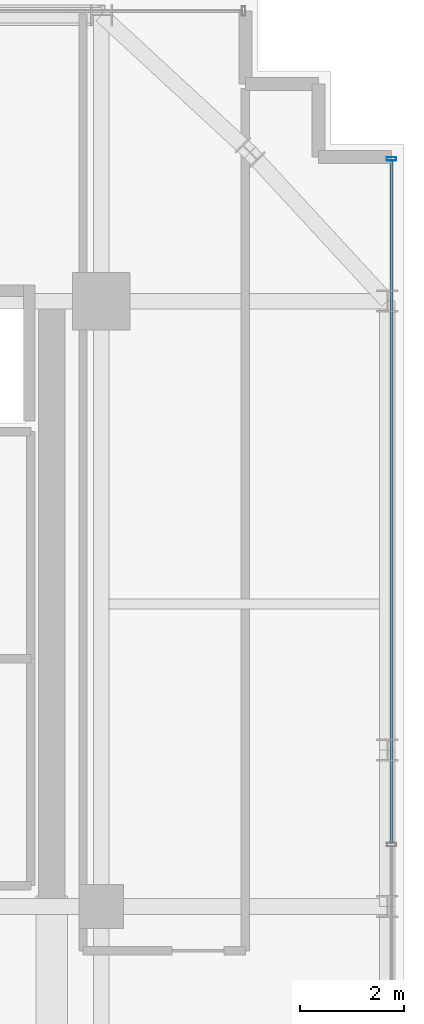
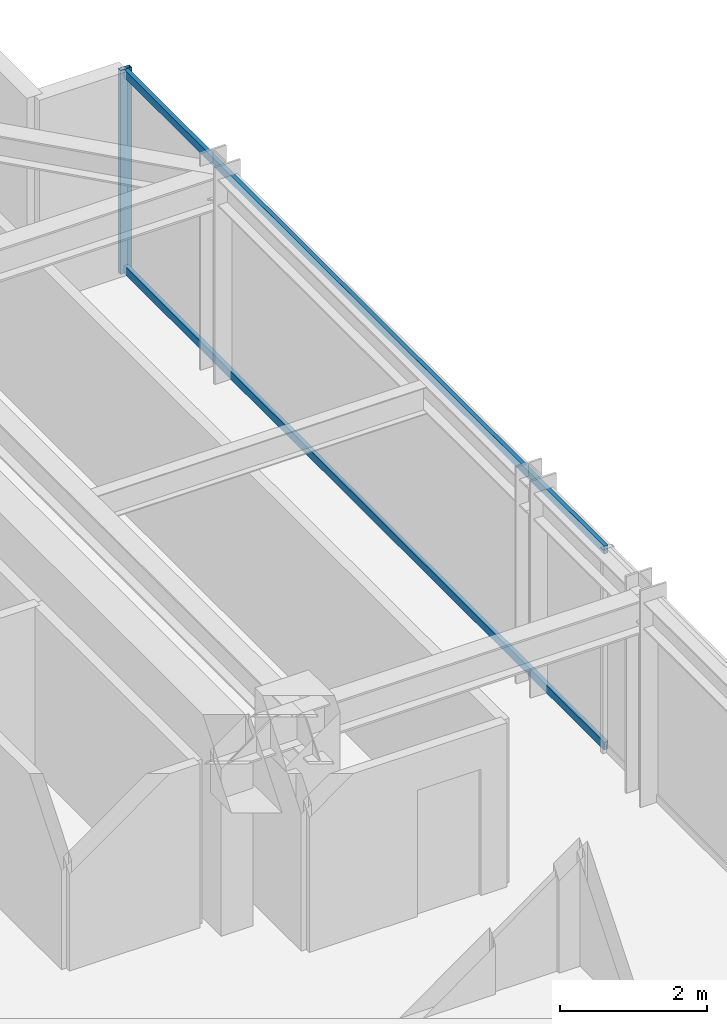
# One storey, part 24 of 32: 3 members, 1 element without a shape of its own.
"""IFC4 building model written with IfcOpenShell, lengths in metres."""

from ifc_helpers import new_model, si_unit, direction, frame, origin, origin_2d, place, context, subcontext, project, spatial, hollow_rectangle, extrude, source, transform, mapped, material, material_profile, profile_set, type_object, element, aggregate, save


model = new_model("IFC4")

# Units and contexts
model_context = context("Model", 3, precision=1e-05, world=origin(), true_north=direction((0.0, 1.0)))
body_context = subcontext(model_context, "Body", "Model", "MODEL_VIEW")
ifc_project = project(units=[si_unit("LENGTHUNIT", "METRE"), si_unit("AREAUNIT", "SQUARE_METRE"), si_unit("VOLUMEUNIT", "CUBIC_METRE"), si_unit("PLANEANGLEUNIT", "RADIAN"), si_unit("MASSUNIT", "GRAM", prefix="KILO")], contexts=[model_context])

# Site, building, storey
site_placement = place(None, origin())
site = spatial("IfcSite", under=ifc_project, at=site_placement, CompositionType="ELEMENT")
building_placement = place(site_placement, origin())
building = spatial("IfcBuilding", under=site, at=building_placement, Name="Nahalor Promenade Grand Hotel", CompositionType="ELEMENT")
storey_placement = place(building_placement, frame((0.0, 0.0, 152.64990234375)))
storey = spatial("IfcBuildingStorey", under=building, at=storey_placement, Name="L38", CompositionType="ELEMENT", Elevation=152.64990234375)

# Curtain wall, members
ifc_material = material(Name="Anodised Bronze Aluminium EN AW-6063 T6", Category="aluminium")
curtain_wall_type = type_object("IfcCurtainWallType", Name="CW2 Typical Hotel Flush Bronze Unitised Curtain Wall", PredefinedType="USERDEFINED", material=ifc_material)
curtain_wall_placement = place(storey_placement, origin())
curtain_wall = element("IfcCurtainWall", 1, at=curtain_wall_placement, inside=storey, type_object=curtain_wall_type, Name="L38 Curtain Wall CW-L38-E-1", ObjectType="UNITISED_CURTAIN_WALL", PredefinedType="USERDEFINED")
ifc_material_profile_1 = material_profile(ifc_material, hollow_rectangle(XDim=0.065, YDim=0.13, WallThickness=0.004, at=origin_2d()), Name="CWT 65x130x4")
ifc_profile_set_1 = profile_set([ifc_material_profile_1], Name="Anodised Bronze Aluminium EN AW-6063 T6")
member_type_1 = type_object("IfcMemberType", Name="CWT2 Typical Bronze Transom 65x130", PredefinedType="USERDEFINED", material=ifc_profile_set_1)
shared_shape_1 = source(origin(), body_context, "Body", "SweptSolid", [
    extrude(hollow_rectangle(XDim=0.065, YDim=0.13, WallThickness=0.004, at=origin_2d()), origin(), (0.0, 0.0, 1.0), 13.075927734375),
])
member_1_placement = place(storey_placement, frame((22.56005859375, 6.619140625, 0.065185546875), z_axis=(0.0, 1.0, 0.0), x_axis=(-1.0, 0.0, 0.0)))
member_1 = element("IfcMember", 2, at=member_1_placement, type_object=member_type_1, Name="CW-L38-E-1 Transom 2-0", ObjectType="TRANSOM", PredefinedType="USERDEFINED", context=body_context, shape_type="MappedRepresentation", body=[
    mapped(shared_shape_1, transform((0.0, 0.0, 0.0), scale=1.0)),
])
member_2_placement = place(storey_placement, frame((22.56005859375, 6.619140625, 3.3251953125), z_axis=(0.0, 1.0, 0.0), x_axis=(-1.0, 0.0, 0.0)))
member_2 = element("IfcMember", 3, at=member_2_placement, type_object=member_type_1, Name="CW-L38-E-1 Transom 2-1", ObjectType="TRANSOM", PredefinedType="USERDEFINED", context=body_context, shape_type="MappedRepresentation", body=[
    mapped(shared_shape_1, transform((0.0, 0.0, 0.0), scale=1.0)),
])
ifc_material_profile_2 = material_profile(ifc_material, hollow_rectangle(XDim=0.065, YDim=0.18, WallThickness=0.004, at=origin_2d()), Name="CWM 65x180x4")
ifc_profile_set_2 = profile_set([ifc_material_profile_2], Name="Anodised Bronze Aluminium EN AW-6063 T6")
member_type_2 = type_object("IfcMemberType", Name="CWM2 Typical Bronze Mullion 65x180", PredefinedType="MULLION", material=ifc_profile_set_2)
shared_shape_2 = source(origin(), body_context, "Body", "SweptSolid", [
    extrude(hollow_rectangle(XDim=0.065, YDim=0.18, WallThickness=0.004, at=origin_2d()), origin(), (0.0, 0.0, 1.0), 3.39013671875),
])
member_3_placement = place(storey_placement, frame((22.56005859375, 19.7275390625, 0.0), z_axis=(0.0, 0.0, 1.0), x_axis=(0.0, 1.0, 0.0)))
member_3 = element("IfcMember", 4, at=member_3_placement, type_object=member_type_2, Name="CW-L38-E-1 Mullion 3", PredefinedType="MULLION", context=body_context, shape_type="MappedRepresentation", body=[
    mapped(shared_shape_2, transform((0.0, 0.0, 0.0), scale=1.0)),
])
aggregate(curtain_wall, [member_3, member_1, member_2])

save(model, "model.ifc")
